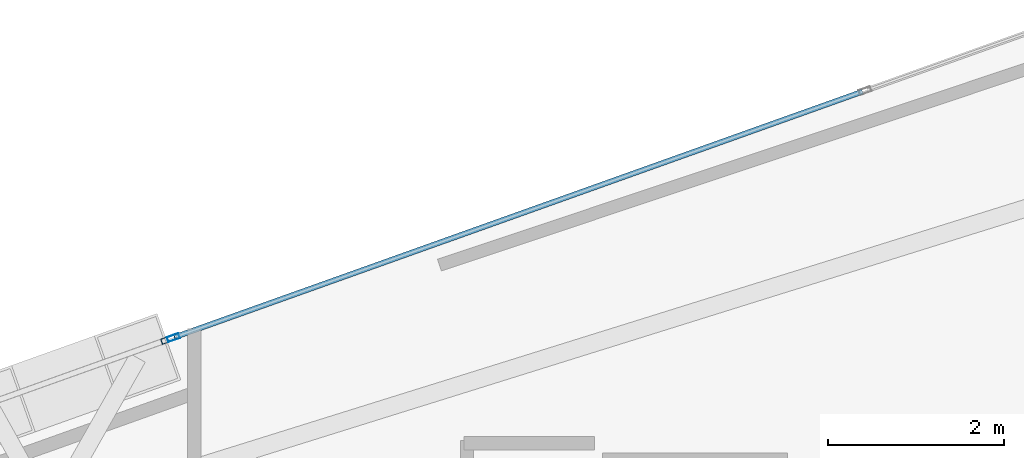
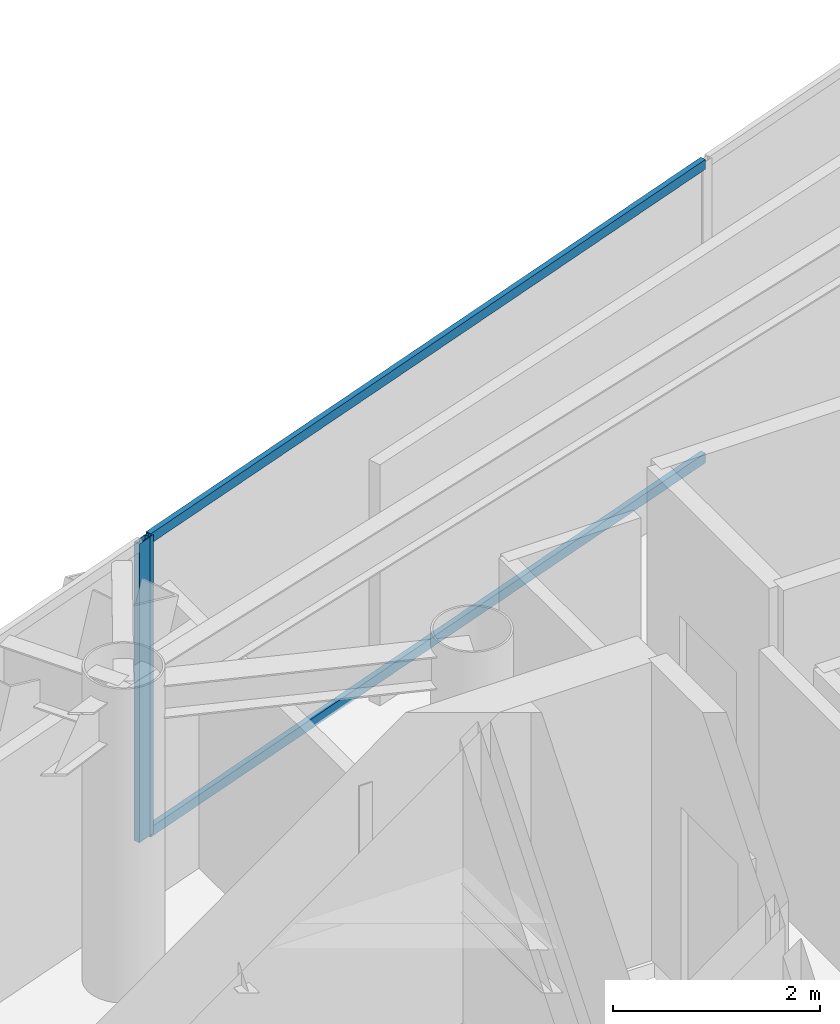
# One storey, part 12 of 18: 4 members, 2 elements without a shape of their own.
"""IFC4 building model written with IfcOpenShell, lengths in metres."""

import ifcopenshell
import ifcopenshell.guid

model = None  # the IFC model being written
_history = None  # IfcOwnerHistory: only IFC2X3 demands one
_inside = {}  # id of a spatial element -> (the spatial element, [elements in it])
_under = {}  # id of a project, library or spatial element -> (it, [spatial elements below it])
_declared = {}  # id of a project -> (the project, [libraries it declares])
_typed = {}  # id of a type object -> (the type object, [elements of that type])
_made_of = {}  # id of a material, layer set ... -> (it, [elements and type objects made of it])


def new_model(schema):
    """Start an empty IFC model of exactly this schema.

    Asked for "IFC4X3", IfcOpenShell would pick the latest addendum, in which some entities
    have other attributes; the version numbers below select the first issue.
    IFC2X3 requires an IfcOwnerHistory on every rooted entity: one is made here for all.
    """
    global model, _history
    if schema == "IFC4X3":
        model = ifcopenshell.file(schema_version=(4, 3, 0, 0))
    else:
        model = ifcopenshell.file(schema=schema)
    _inside.clear()
    _under.clear()
    _declared.clear()
    _typed.clear()
    _made_of.clear()
    _history = None
    if model.schema == "IFC2X3":
        org = make("IfcOrganization", Name="unknown")
        user = make(
            "IfcPersonAndOrganization",
            ThePerson=make("IfcPerson", FamilyName="unknown"),
            TheOrganization=org,
        )
        app = make(
            "IfcApplication",
            ApplicationDeveloper=org,
            Version="unknown",
            ApplicationFullName="unknown",
            ApplicationIdentifier="unknown",
        )
        _history = make(
            "IfcOwnerHistory",
            OwningUser=user,
            OwningApplication=app,
            ChangeAction="ADDED",
            CreationDate=0,
        )
    return model


def make(cls, **values):
    """One entity of the class cls with the attributes given. An attribute that is None is left unset."""
    return model.create_entity(
        cls, **{name: value for name, value in values.items() if value is not None}
    )


def rooted(cls, **values):
    """An entity with a GlobalId (a new one), such as an element, a storey or a relation."""
    return make(cls, GlobalId=ifcopenshell.guid.new(), OwnerHistory=_history, **values)


def si_unit(unit_type, name, prefix=None):
    """IfcSIUnit, for example si_unit("LENGTHUNIT", "METRE", prefix="MILLI")."""
    return make("IfcSIUnit", UnitType=unit_type, Prefix=prefix, Name=name)


def assignment(units):
    """IfcUnitAssignment: the units of a project."""
    return None if units is None else make("IfcUnitAssignment", Units=units)


def point(xyz):
    """IfcCartesianPoint."""
    return None if xyz is None else make("IfcCartesianPoint", Coordinates=xyz)


def direction(xyz):
    """IfcDirection."""
    return None if xyz is None else make("IfcDirection", DirectionRatios=xyz)


def frame(location, z_axis=None, x_axis=None):
    """IfcAxis2Placement3D, a coordinate frame: its origin and axes. An axis left out is left unset."""
    return make(
        "IfcAxis2Placement3D",
        Location=point(location),
        Axis=direction(z_axis),
        RefDirection=direction(x_axis),
    )


def frame_2d(location, x_axis=None):
    """IfcAxis2Placement2D, a coordinate frame in the plane: its origin and x axis."""
    return make(
        "IfcAxis2Placement2D", Location=point(location), RefDirection=direction(x_axis)
    )


def origin():
    """The frame at (0, 0, 0) with its axes left unset."""
    return frame((0.0, 0.0, 0.0))


def origin_2d():
    """The frame at (0, 0) in the plane with its x axis left unset."""
    return frame_2d((0.0, 0.0))


def place(relative_to, where):
    """IfcLocalPlacement: puts the frame where relative to a parent placement (None: the world)."""
    return make(
        "IfcLocalPlacement", PlacementRelTo=relative_to, RelativePlacement=where
    )


def context(
    kind, dimensions, precision=None, world=None, true_north=None, identifier=None
):
    """IfcGeometricRepresentationContext, for example the 3D "Model" context."""
    return make(
        "IfcGeometricRepresentationContext",
        ContextIdentifier=identifier,
        ContextType=kind,
        CoordinateSpaceDimension=dimensions,
        Precision=precision,
        WorldCoordinateSystem=world,
        TrueNorth=true_north,
    )


def subcontext(parent, identifier, kind, view, scale=None):
    """IfcGeometricRepresentationSubContext, for example "Body" below "Model"."""
    return make(
        "IfcGeometricRepresentationSubContext",
        ContextIdentifier=identifier,
        ContextType=kind,
        ParentContext=parent,
        TargetScale=scale,
        TargetView=view,
    )


def project(units=None, contexts=None):
    """IfcProject with its units and contexts."""
    return rooted(
        "IfcProject",
        Name="project",
        RepresentationContexts=contexts,
        UnitsInContext=assignment(units),
    )


def spatial(cls, under=None, at=None, **own):
    """A site, building, storey or space (cls), placed at a placement, below another one or the project."""
    s = rooted(cls, ObjectPlacement=at, **own)
    if under is not None:
        _under.setdefault(under.id(), (under, []))[1].append(s)
    return s


def profile(cls, at=None, kind="AREA", **sizes):
    """A parametric profile (cls). Its sizes go by their IFC names, for example OverallWidth=200.0."""
    return make(cls, ProfileType=kind, Position=at, **sizes)


def hollow_rectangle(**sizes):
    """IfcRectangleHollowProfileDef."""
    return profile("IfcRectangleHollowProfileDef", **sizes)


def extrude(swept, where, along, depth):
    """IfcExtrudedAreaSolid: the profile swept, set in the frame where, extruded along a direction by depth."""
    return make(
        "IfcExtrudedAreaSolid",
        SweptArea=swept,
        Position=where,
        ExtrudedDirection=direction(along),
        Depth=depth,
    )


def shape(context_of_items, identifier, shape_type, items):
    """IfcShapeRepresentation: the items that make up one representation, for example the "Body"."""
    return make(
        "IfcShapeRepresentation",
        ContextOfItems=context_of_items,
        RepresentationIdentifier=identifier,
        RepresentationType=shape_type,
        Items=items,
    )


def material(Name=None, Category=None):
    """IfcMaterial."""
    return make("IfcMaterial", Name=Name, Category=Category)


def layer(
    of_material, thickness, ventilated=None, Name=None, Category=None, Priority=None
):
    """IfcMaterialLayer: one layer of a wall or slab, of a material (None: an air gap)."""
    return make(
        "IfcMaterialLayer",
        Material=of_material,
        LayerThickness=thickness,
        IsVentilated=ventilated,
        Name=Name,
        Category=Category,
        Priority=Priority,
    )


def layer_set(layers, Name=None):
    """IfcMaterialLayerSet."""
    return make("IfcMaterialLayerSet", MaterialLayers=layers, LayerSetName=Name)


def material_profile(
    of_material, cross_section, Name=None, Category=None, Priority=None
):
    """IfcMaterialProfile: a cross section and its material."""
    return make(
        "IfcMaterialProfile",
        Name=Name,
        Material=of_material,
        Profile=cross_section,
        Priority=Priority,
        Category=Category,
    )


def profile_set(profiles, Name=None, composite=None):
    """IfcMaterialProfileSet."""
    return make(
        "IfcMaterialProfileSet",
        Name=Name,
        MaterialProfiles=profiles,
        CompositeProfile=composite,
    )


def made_of(thing, what):
    """Note that an element or type object is made of a material, layer set ...; save() writes the relation."""
    if what is not None:
        _made_of.setdefault(what.id(), (what, []))[1].append(thing)
    return thing


def type_object(cls, material=None, **own):
    """A type object (cls), such as IfcWallType, which elements share."""
    return made_of(rooted(cls, **own), material)


def element(
    cls,
    number,
    at=None,
    inside=None,
    cuts=None,
    type_object=None,
    material=None,
    context=None,
    identifier="Body",
    shape_type=None,
    held_by="IfcProductDefinitionShape",
    body=None,
    shapes=None,
    **own,
):
    """One element of the class cls, such as IfcWall. Its Tag is "e" and its number.

    at: its placement. inside: the storey or other place that contains it. cuts: it is an
    opening in that element (IfcRelVoidsElement). A single representation is given by context,
    identifier, shape_type and body (its items); several are given by shapes. held_by: the class
    of the entity that holds the representations. save() writes the other relations.
    """
    e = rooted(cls, Tag="e%d" % number, ObjectPlacement=at, **own)
    if body is not None:
        shapes = [shape(context, identifier, shape_type, body)]
    if shapes is not None:
        e.Representation = make(held_by, Representations=shapes)
    if inside is not None:
        _inside.setdefault(inside.id(), (inside, []))[1].append(e)
    if cuts is not None:
        rooted(
            "IfcRelVoidsElement", RelatingBuildingElement=cuts, RelatedOpeningElement=e
        )
    if type_object is not None:
        _typed.setdefault(type_object.id(), (type_object, []))[1].append(e)
    return made_of(e, material)


def aggregate(whole, parts):
    """IfcRelAggregates: a whole, such as a stair, and the parts it consists of."""
    return rooted("IfcRelAggregates", RelatingObject=whole, RelatedObjects=parts)


def save(model, path):
    """Write the relations noted so far, then the file.

    IfcRelAggregates (storeys below a building ...), IfcRelContainedInSpatialStructure (elements
    in a storey), IfcRelDefinesByType, IfcRelAssociatesMaterial and IfcRelDeclares: one each for
    every whole, place, type object, material and project.
    """
    for whole, parts in _under.values():
        aggregate(whole, parts)
    for where, things in _inside.values():
        rooted(
            "IfcRelContainedInSpatialStructure",
            RelatedElements=things,
            RelatingStructure=where,
        )
    for kind, things in _typed.values():
        rooted("IfcRelDefinesByType", RelatedObjects=things, RelatingType=kind)
    for what, things in _made_of.values():
        rooted("IfcRelAssociatesMaterial", RelatedObjects=things, RelatingMaterial=what)
    for by, libraries in _declared.values():
        rooted("IfcRelDeclares", RelatingContext=by, RelatedDefinitions=libraries)
    model.write(path)


model = new_model("IFC4")

# Units and contexts
model_context = context("Model", 3, precision=1e-05, world=origin(), true_north=direction((0.0, 1.0)))
body_context = subcontext(model_context, "Body", "Model", "MODEL_VIEW")
ifc_project = project(units=[si_unit("LENGTHUNIT", "METRE"), si_unit("AREAUNIT", "SQUARE_METRE"), si_unit("VOLUMEUNIT", "CUBIC_METRE"), si_unit("PLANEANGLEUNIT", "RADIAN"), si_unit("MASSUNIT", "GRAM", prefix="KILO")], contexts=[model_context])

# Site, building, storey
site_placement = place(None, origin())
site = spatial("IfcSite", under=ifc_project, at=site_placement, CompositionType="ELEMENT")
building_placement = place(site_placement, origin())
building = spatial("IfcBuilding", under=site, at=building_placement, Name="Qianvela Tower", CompositionType="ELEMENT")
storey_placement = place(building_placement, frame((0.0, 0.0, 337.0)))
storey = spatial("IfcBuildingStorey", under=building, at=storey_placement, Name="L87", CompositionType="ELEMENT", Elevation=337.0)

# Curtain wall, member
ifc_material_1 = material(Name="Anodised Architectural Aluminium and Insulated Spandrel Panel", Category="aluminium")
ifc_layer_1 = layer(ifc_material_1, 0.179931640625)
ifc_layer_set_1 = layer_set([ifc_layer_1], Name="Anodised Architectural Aluminium and Insulated Spandrel Panel")
curtain_wall_type_1 = type_object("IfcCurtainWallType", Name="CW-BRACEBAY", PredefinedType="USERDEFINED", material=ifc_layer_set_1)
curtain_wall_1_placement = place(storey_placement, origin())
curtain_wall_1 = element("IfcCurtainWall", 1, at=curtain_wall_1_placement, inside=storey, type_object=curtain_wall_type_1, Name="L87 CW-BRACEBAY Curtain Wall 02B", ObjectType="CURTAIN_WALL_SYSTEM", PredefinedType="USERDEFINED")
ifc_material_2 = material(Name="Anodised Architectural Aluminium 6063-T6", Category="aluminium")
ifc_material_profile_1 = material_profile(ifc_material_2, hollow_rectangle(XDim=0.06494140625, YDim=0.159912109375, WallThickness=0.0048828125, at=origin_2d()), Name="ALU-MULL-65x160")
ifc_profile_set_1 = profile_set([ifc_material_profile_1], Name="Anodised Architectural Aluminium 6063-T6")
member_type_1 = type_object("IfcMemberType", Name="CW-BRACEBAY-MULL", PredefinedType="MULLION", material=ifc_profile_set_1)
member_1_placement = place(storey_placement, frame((36.522705078125, 36.66552734375, 0.0), z_axis=(0.0, 0.0, 1.0), x_axis=(0.336220757147, -0.941783203537, 0.0)))
member_1 = element("IfcMember", 2, at=member_1_placement, type_object=member_type_1, Name="CW-9 mullion 1", PredefinedType="MULLION", context=body_context, shape_type="SweptSolid", body=[
    extrude(hollow_rectangle(XDim=0.06494140625, YDim=0.159912109375, WallThickness=0.0048828125, at=origin_2d()), origin(), (0.0, 0.0, 1.0), 3.52001953125),
])
aggregate(curtain_wall_1, [member_1])

# Curtain wall, members
ifc_material_3 = material(Name="Anodised Architectural Aluminium and Low-E Glass", Category="aluminium")
ifc_layer_2 = layer(ifc_material_3, 0.14990234375)
ifc_layer_set_2 = layer_set([ifc_layer_2], Name="Anodised Architectural Aluminium and Low-E Glass")
curtain_wall_type_2 = type_object("IfcCurtainWallType", Name="CW-COLIV-Z78", PredefinedType="USERDEFINED", material=ifc_layer_set_2)
curtain_wall_2_placement = place(storey_placement, origin())
curtain_wall_2 = element("IfcCurtainWall", 3, at=curtain_wall_2_placement, inside=storey, type_object=curtain_wall_type_2, Name="L87 CW-COLIV-Z78 Curtain Wall 02A", ObjectType="CURTAIN_WALL_SYSTEM", PredefinedType="USERDEFINED")
ifc_material_4 = material(Name="Anodised Architectural Aluminium 6063-T6", Category="aluminium")
ifc_material_profile_2 = material_profile(ifc_material_4, hollow_rectangle(XDim=0.06005859375, YDim=0.139892578125, WallThickness=0.00439453125, at=origin_2d()), Name="ALU-MULL-60x140")
ifc_profile_set_2 = profile_set([ifc_material_profile_2], Name="Anodised Architectural Aluminium 6063-T6")
member_type_2 = type_object("IfcMemberType", Name="CW-COLIV-Z78-MULL", PredefinedType="MULLION", material=ifc_profile_set_2)
member_2_placement = place(storey_placement, frame((36.58154296875, 36.6865234375, 0.0), z_axis=(0.0, 0.0, 1.0), x_axis=(0.336225762374, -0.941781416634, 0.0)))
member_2 = element("IfcMember", 4, at=member_2_placement, type_object=member_type_2, Name="CW-6 mullion 3", PredefinedType="MULLION", context=body_context, shape_type="SweptSolid", body=[
    extrude(hollow_rectangle(XDim=0.06005859375, YDim=0.139892578125, WallThickness=0.00439453125, at=origin_2d()), origin(), (0.0, 0.0, 1.0), 3.52001953125),
])
ifc_material_5 = material(Name="Anodised Architectural Aluminium 6063-T6", Category="aluminium")
ifc_material_profile_3 = material_profile(ifc_material_5, hollow_rectangle(XDim=0.06005859375, YDim=0.114990234375, WallThickness=0.00390625, at=origin_2d()), Name="ALU-TRAN-60x115")
ifc_profile_set_3 = profile_set([ifc_material_profile_3], Name="Anodised Architectural Aluminium 6063-T6")
member_type_3 = type_object("IfcMemberType", Name="CW-COLIV-Z78-TRAN", PredefinedType="USERDEFINED", material=ifc_profile_set_3)
member_3_placement = place(storey_placement, frame((44.3984375, 39.47705078125, 0.030029296875), z_axis=(-0.941784649588, -0.336216706606, 0.0), x_axis=(0.336216706606, -0.941784649588, 0.0)))
member_3 = element("IfcMember", 5, at=member_3_placement, type_object=member_type_3, Name="CW-6 transom 2.1", ObjectType="TRANSOM", PredefinedType="USERDEFINED", context=body_context, shape_type="SweptSolid", body=[
    extrude(hollow_rectangle(XDim=0.06005859375, YDim=0.114990234375, WallThickness=0.00390625, at=origin_2d()), origin(), (0.0, 0.0, 1.0), 8.27001953125),
])
member_4_placement = place(storey_placement, frame((44.3984375, 39.47705078125, 3.489990234375), z_axis=(-0.941784649588, -0.336216706606, 0.0), x_axis=(0.336216706606, -0.941784649588, 0.0)))
member_4 = element("IfcMember", 6, at=member_4_placement, type_object=member_type_3, Name="CW-6 transom 2.2", ObjectType="TRANSOM", PredefinedType="USERDEFINED", context=body_context, shape_type="SweptSolid", body=[
    extrude(hollow_rectangle(XDim=0.06005859375, YDim=0.114990234375, WallThickness=0.00390625, at=origin_2d()), origin(), (0.0, 0.0, 1.0), 8.27001953125),
])
aggregate(curtain_wall_2, [member_2, member_3, member_4])

save(model, "model.ifc")
